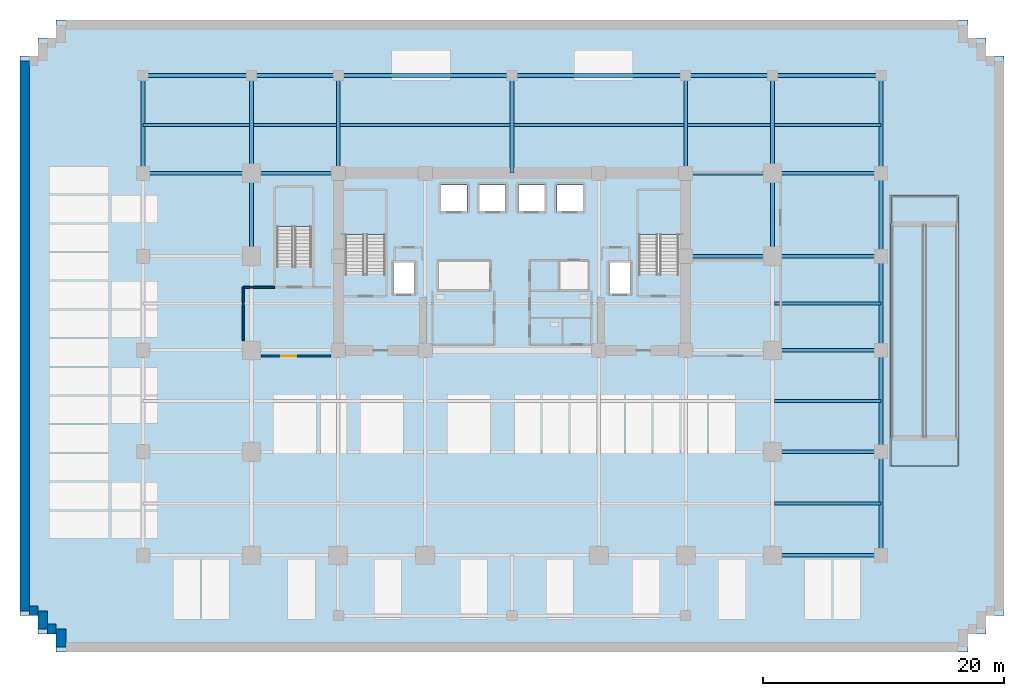
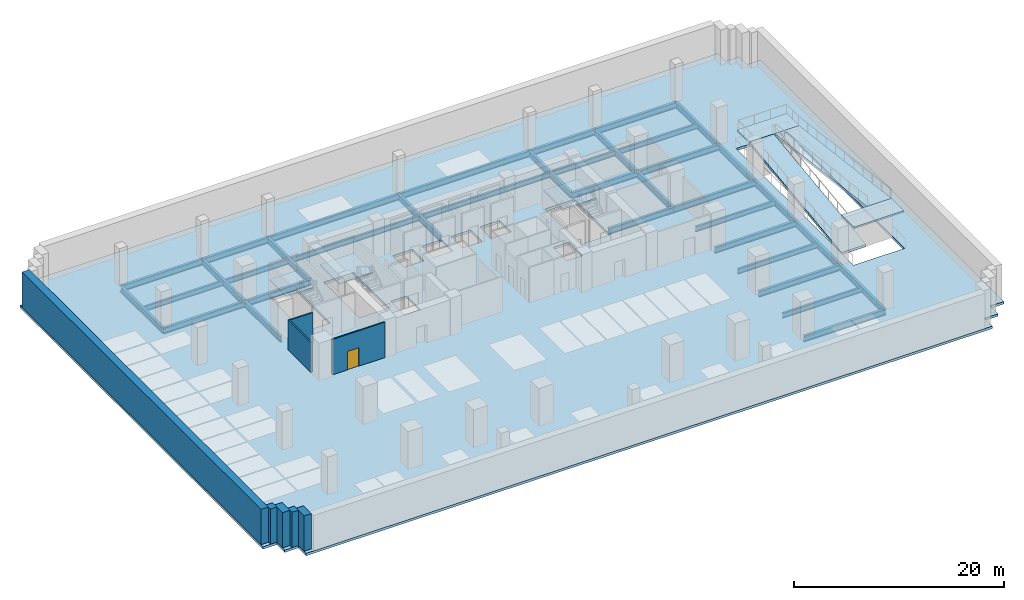
# One storey, part 2 of 13: 37 beams, 8 slabs, 8 walls, 1 door, 1 opening, 3 elements without a shape of their own.
"""IFC4 building model written with IfcOpenShell, lengths in metres."""

from ifc_helpers import new_model, si_unit, direction, frame, frame_2d, origin, origin_2d, place, context, subcontext, project, spatial, polyline, rectangle, i_section, outline, extrude, source, transform, mapped, material, layer, layer_set, material_profile, profile_set, type_object, element, fill, aggregate, save


model = new_model("IFC4")

# Units and contexts
model_context = context("Model", 3, precision=1e-05, world=origin(), true_north=direction((0.0, 1.0)))
body_context = subcontext(model_context, "Body", "Model", "MODEL_VIEW")
ifc_project = project(units=[si_unit("LENGTHUNIT", "METRE"), si_unit("AREAUNIT", "SQUARE_METRE"), si_unit("VOLUMEUNIT", "CUBIC_METRE"), si_unit("PLANEANGLEUNIT", "RADIAN"), si_unit("MASSUNIT", "GRAM", prefix="KILO")], contexts=[model_context])

# Site, building, storey
site_placement = place(None, origin())
site = spatial("IfcSite", under=ifc_project, at=site_placement, CompositionType="ELEMENT")
building_placement = place(site_placement, origin())
building = spatial("IfcBuilding", under=site, at=building_placement, Name="Zarnakvel Exchange Tower", CompositionType="ELEMENT")
storey_placement = place(building_placement, frame((0.0, 0.0, -8.800048828125)))
storey = spatial("IfcBuildingStorey", under=building, at=storey_placement, Name="B02", CompositionType="ELEMENT", Elevation=-8.800048828125)

# Beams
ifc_material_1 = material(Name="Steel S355", Category="steel")
ifc_material_profile_1 = material_profile(ifc_material_1, i_section(OverallWidth=0.230224609375, OverallDepth=0.6171875, WebThickness=0.01318359375, FlangeThickness=0.022216796875, FilletRadius=0.0126953125, at=origin_2d()))
ifc_profile_set_1 = profile_set([ifc_material_profile_1], Name="Steel S355")
beam_type_1 = type_object("IfcBeamType", Name="B-02", PredefinedType="JOIST", material=ifc_profile_set_1)
for number, where, z_axis, x_axis, name in (
    (1, (21.75, -13.89990234375, -0.588623046875), (1.0, 0.0, 0.0), (0.0, 1.0, 0.0), "B02 Secondary Floor Joist"),
    (2, (21.75, -5.39990234375, -0.588623046875), (1.0, 0.0, 0.0), (0.0, 1.0, 0.0), "B02 Secondary Floor Joist"),
    (3, (21.75, 2.699951171875, -0.588623046875), (1.0, 0.0, 0.0), (0.0, 1.0, 0.0), "B02 Secondary Floor Joist"),
    (4, (-30.60009765625, 17.5, -0.588623046875), (1.0, 0.0, 0.0), (0.0, 1.0, 0.0), "B02 North Bay Secondary Floor Joist"),
):
    element("IfcBeam", number, at=place(storey_placement, frame(where, z_axis=z_axis, x_axis=x_axis)), inside=storey, type_object=beam_type_1, Name=name, PredefinedType="JOIST", context=body_context, shape_type="SweptSolid", body=[
        extrude(i_section(OverallWidth=0.230224609375, OverallDepth=0.6171875, WebThickness=0.01318359375, FlangeThickness=0.022216796875, FilletRadius=0.0126953125, at=origin_2d()), origin(), (0.0, 0.0, 1.0), 8.85009765625),
    ])
beam_1_placement = place(storey_placement, frame((-21.449951171875, 17.5, -0.588623046875), z_axis=(1.0, 0.0, 0.0), x_axis=(0.0, 1.0, 0.0)))
element("IfcBeam", 5, at=beam_1_placement, inside=storey, type_object=beam_type_1, Name="B02 North Bay Secondary Floor Joist", PredefinedType="JOIST", context=body_context, shape_type="SweptSolid", body=[
    extrude(i_section(OverallWidth=0.230224609375, OverallDepth=0.6171875, WebThickness=0.01318359375, FlangeThickness=0.022216796875, FilletRadius=0.0126953125, at=origin_2d()), origin(), (0.0, 0.0, 1.0), 6.89990234375),
])
for number, where, z_axis, x_axis, name in (
    (6, (-14.25, 17.5, -0.588623046875), (1.0, 0.0, 0.0), (0.0, 1.0, 0.0), "B02 North Bay Secondary Floor Joist"),
    (7, (0.14990234375, 17.5, -0.588623046875), (1.0, 0.0, 0.0), (0.0, 1.0, 0.0), "B02 North Bay Secondary Floor Joist"),
):
    element("IfcBeam", number, at=place(storey_placement, frame(where, z_axis=z_axis, x_axis=x_axis)), inside=storey, type_object=beam_type_1, Name=name, PredefinedType="JOIST", context=body_context, shape_type="SweptSolid", body=[
        extrude(i_section(OverallWidth=0.230224609375, OverallDepth=0.6171875, WebThickness=0.01318359375, FlangeThickness=0.022216796875, FilletRadius=0.0126953125, at=origin_2d()), origin(), (0.0, 0.0, 1.0), 14.10009765625),
    ])
beam_2_placement = place(storey_placement, frame((14.550048828125, 17.5, -0.588623046875), z_axis=(1.0, 0.0, 0.0), x_axis=(0.0, 1.0, 0.0)))
element("IfcBeam", 8, at=beam_2_placement, inside=storey, type_object=beam_type_1, Name="B02 North Bay Secondary Floor Joist", PredefinedType="JOIST", context=body_context, shape_type="SweptSolid", body=[
    extrude(i_section(OverallWidth=0.230224609375, OverallDepth=0.6171875, WebThickness=0.01318359375, FlangeThickness=0.022216796875, FilletRadius=0.0126953125, at=origin_2d()), origin(), (0.0, 0.0, 1.0), 6.89990234375),
])
beam_3_placement = place(storey_placement, frame((21.75, 17.5, -0.588623046875), z_axis=(1.0, 0.0, 0.0), x_axis=(0.0, 1.0, 0.0)))
element("IfcBeam", 9, at=beam_3_placement, inside=storey, type_object=beam_type_1, Name="B02 North Bay Secondary Floor Joist", PredefinedType="JOIST", context=body_context, shape_type="SweptSolid", body=[
    extrude(i_section(OverallWidth=0.230224609375, OverallDepth=0.6171875, WebThickness=0.01318359375, FlangeThickness=0.022216796875, FilletRadius=0.0126953125, at=origin_2d()), origin(), (0.0, 0.0, 1.0), 8.85009765625),
])
ifc_material_profile_2 = material_profile(ifc_material_1, i_section(OverallWidth=0.300048828125, OverallDepth=0.699951171875, WebThickness=0.01708984375, FlangeThickness=0.031982421875, FilletRadius=0.027099609375, at=origin_2d()))
ifc_profile_set_2 = profile_set([ifc_material_profile_2], Name="Steel S355")
beam_type_2 = type_object("IfcBeamType", Name="G-03", PredefinedType="BEAM", material=ifc_profile_set_2)
for number, where, z_axis, x_axis, name in (
    (10, (21.60009765625, -18.199951171875, -0.6298828125), (1.0, 0.0, 0.0), (0.0, 1.0, 0.0), "B02 Primary E-W Girder Y=-18.2"),
    (11, (21.60009765625, -9.60009765625, -0.6298828125), (1.0, 0.0, 0.0), (0.0, 1.0, 0.0), "B02 Primary E-W Girder Y=-9.6"),
    (12, (21.60009765625, -1.199951171875, -0.6298828125), (1.0, 0.0, 0.0), (0.0, 1.0, 0.0), "B02 Primary E-W Girder Y=-1.2"),
):
    element("IfcBeam", number, at=place(storey_placement, frame(where, z_axis=z_axis, x_axis=x_axis)), inside=storey, type_object=beam_type_2, Name=name, PredefinedType="BEAM", context=body_context, shape_type="SweptSolid", body=[
        extrude(i_section(OverallWidth=0.300048828125, OverallDepth=0.699951171875, WebThickness=0.01708984375, FlangeThickness=0.031982421875, FilletRadius=0.027099609375, at=origin_2d()), origin(), (0.0, 0.0, 1.0), 9.0),
    ])
beam_4_placement = place(storey_placement, frame((14.39990234375, 6.60009765625, -0.6298828125), z_axis=(1.0, 0.0, 0.0), x_axis=(0.0, 1.0, 0.0)))
element("IfcBeam", 13, at=beam_4_placement, inside=storey, type_object=beam_type_2, Name="B02 Primary E-W Girder Y=+6.6", PredefinedType="BEAM", context=body_context, shape_type="SweptSolid", body=[
    extrude(i_section(OverallWidth=0.300048828125, OverallDepth=0.699951171875, WebThickness=0.01708984375, FlangeThickness=0.031982421875, FilletRadius=0.027099609375, at=origin_2d()), origin(), (0.0, 0.0, 1.0), 7.2001953125),
])
for number, where, z_axis, x_axis, name in (
    (14, (21.60009765625, 6.60009765625, -0.6298828125), (1.0, 0.0, 0.0), (0.0, 1.0, 0.0), "B02 Primary E-W Girder Y=+6.6"),
    (15, (-30.60009765625, 13.5, -0.6298828125), (1.0, 0.0, 0.0), (0.0, 1.0, 0.0), "B02 Primary E-W Girder Y=+13.5"),
):
    element("IfcBeam", number, at=place(storey_placement, frame(where, z_axis=z_axis, x_axis=x_axis)), inside=storey, type_object=beam_type_2, Name=name, PredefinedType="BEAM", context=body_context, shape_type="SweptSolid", body=[
        extrude(i_section(OverallWidth=0.300048828125, OverallDepth=0.699951171875, WebThickness=0.01708984375, FlangeThickness=0.031982421875, FilletRadius=0.027099609375, at=origin_2d()), origin(), (0.0, 0.0, 1.0), 9.0),
    ])
for number, where, z_axis, x_axis, name in (
    (16, (-21.60009765625, 13.5, -0.6298828125), (1.0, 0.0, 0.0), (0.0, 1.0, 0.0), "B02 Primary E-W Girder Y=+13.5"),
    (17, (14.39990234375, 13.5, -0.6298828125), (1.0, 0.0, 0.0), (0.0, 1.0, 0.0), "B02 Primary E-W Girder Y=+13.5"),
):
    element("IfcBeam", number, at=place(storey_placement, frame(where, z_axis=z_axis, x_axis=x_axis)), inside=storey, type_object=beam_type_2, Name=name, PredefinedType="BEAM", context=body_context, shape_type="SweptSolid", body=[
        extrude(i_section(OverallWidth=0.300048828125, OverallDepth=0.699951171875, WebThickness=0.01708984375, FlangeThickness=0.031982421875, FilletRadius=0.027099609375, at=origin_2d()), origin(), (0.0, 0.0, 1.0), 7.2001953125),
    ])
for number, where, z_axis, x_axis, name in (
    (18, (21.60009765625, 13.5, -0.6298828125), (1.0, 0.0, 0.0), (0.0, 1.0, 0.0), "B02 Primary E-W Girder Y=+13.5"),
    (19, (-30.60009765625, 21.60009765625, -0.6298828125), (1.0, 0.0, 0.0), (0.0, 1.0, 0.0), "B02 Primary E-W Girder Y=+21.6"),
):
    element("IfcBeam", number, at=place(storey_placement, frame(where, z_axis=z_axis, x_axis=x_axis)), inside=storey, type_object=beam_type_2, Name=name, PredefinedType="BEAM", context=body_context, shape_type="SweptSolid", body=[
        extrude(i_section(OverallWidth=0.300048828125, OverallDepth=0.699951171875, WebThickness=0.01708984375, FlangeThickness=0.031982421875, FilletRadius=0.027099609375, at=origin_2d()), origin(), (0.0, 0.0, 1.0), 9.0),
    ])
beam_5_placement = place(storey_placement, frame((-21.60009765625, 21.60009765625, -0.6298828125), z_axis=(1.0, 0.0, 0.0), x_axis=(0.0, 1.0, 0.0)))
element("IfcBeam", 20, at=beam_5_placement, inside=storey, type_object=beam_type_2, Name="B02 Primary E-W Girder Y=+21.6", PredefinedType="BEAM", context=body_context, shape_type="SweptSolid", body=[
    extrude(i_section(OverallWidth=0.300048828125, OverallDepth=0.699951171875, WebThickness=0.01708984375, FlangeThickness=0.031982421875, FilletRadius=0.027099609375, at=origin_2d()), origin(), (0.0, 0.0, 1.0), 7.2001953125),
])
for number, where, z_axis, x_axis, name in (
    (21, (-14.39990234375, 21.60009765625, -0.6298828125), (1.0, 0.0, 0.0), (0.0, 1.0, 0.0), "B02 Primary E-W Girder Y=+21.6"),
    (22, (0.0, 21.60009765625, -0.6298828125), (1.0, 0.0, 0.0), (0.0, 1.0, 0.0), "B02 Primary E-W Girder Y=+21.6"),
):
    element("IfcBeam", number, at=place(storey_placement, frame(where, z_axis=z_axis, x_axis=x_axis)), inside=storey, type_object=beam_type_2, Name=name, PredefinedType="BEAM", context=body_context, shape_type="SweptSolid", body=[
        extrude(i_section(OverallWidth=0.300048828125, OverallDepth=0.699951171875, WebThickness=0.01708984375, FlangeThickness=0.031982421875, FilletRadius=0.027099609375, at=origin_2d()), origin(), (0.0, 0.0, 1.0), 14.39990234375),
    ])
beam_6_placement = place(storey_placement, frame((14.39990234375, 21.60009765625, -0.6298828125), z_axis=(1.0, 0.0, 0.0), x_axis=(0.0, 1.0, 0.0)))
element("IfcBeam", 23, at=beam_6_placement, inside=storey, type_object=beam_type_2, Name="B02 Primary E-W Girder Y=+21.6", PredefinedType="BEAM", context=body_context, shape_type="SweptSolid", body=[
    extrude(i_section(OverallWidth=0.300048828125, OverallDepth=0.699951171875, WebThickness=0.01708984375, FlangeThickness=0.031982421875, FilletRadius=0.027099609375, at=origin_2d()), origin(), (0.0, 0.0, 1.0), 7.2001953125),
])
beam_7_placement = place(storey_placement, frame((21.60009765625, 21.60009765625, -0.6298828125), z_axis=(1.0, 0.0, 0.0), x_axis=(0.0, 1.0, 0.0)))
element("IfcBeam", 24, at=beam_7_placement, inside=storey, type_object=beam_type_2, Name="B02 Primary E-W Girder Y=+21.6", PredefinedType="BEAM", context=body_context, shape_type="SweptSolid", body=[
    extrude(i_section(OverallWidth=0.300048828125, OverallDepth=0.699951171875, WebThickness=0.01708984375, FlangeThickness=0.031982421875, FilletRadius=0.027099609375, at=origin_2d()), origin(), (0.0, 0.0, 1.0), 9.0),
])
beam_8_placement = place(storey_placement, frame((-30.60009765625, 13.5, -0.6298828125), z_axis=(0.0, 1.0, 0.0), x_axis=(-1.0, 0.0, 0.0)))
element("IfcBeam", 25, at=beam_8_placement, inside=storey, type_object=beam_type_2, Name="B02 Primary N-S Girder X=-30.6", PredefinedType="BEAM", context=body_context, shape_type="SweptSolid", body=[
    extrude(i_section(OverallWidth=0.300048828125, OverallDepth=0.699951171875, WebThickness=0.01708984375, FlangeThickness=0.031982421875, FilletRadius=0.027099609375, at=origin_2d()), origin(), (0.0, 0.0, 1.0), 8.10009765625),
])
beam_9_placement = place(storey_placement, frame((-21.60009765625, 6.60009765625, -0.6298828125), z_axis=(0.0, 1.0, 0.0), x_axis=(-1.0, 0.0, 0.0)))
element("IfcBeam", 26, at=beam_9_placement, inside=storey, type_object=beam_type_2, Name="B02 Primary N-S Girder X=-21.6", PredefinedType="BEAM", context=body_context, shape_type="SweptSolid", body=[
    extrude(i_section(OverallWidth=0.300048828125, OverallDepth=0.699951171875, WebThickness=0.01708984375, FlangeThickness=0.031982421875, FilletRadius=0.027099609375, at=origin_2d()), origin(), (0.0, 0.0, 1.0), 6.89990234375),
])
for number, where, z_axis, x_axis, name in (
    (27, (-21.60009765625, 13.5, -0.6298828125), (0.0, 1.0, 0.0), (-1.0, 0.0, 0.0), "B02 Primary N-S Girder X=-21.6"),
    (28, (-14.39990234375, 13.5, -0.6298828125), (0.0, 1.0, 0.0), (-1.0, 0.0, 0.0), "B02 Primary N-S Girder X=-14.4"),
    (29, (0.0, 13.5, -0.6298828125), (0.0, 1.0, 0.0), (-1.0, 0.0, 0.0), "B02 Primary N-S Girder X=+0.0 North"),
    (30, (14.39990234375, 13.5, -0.6298828125), (0.0, 1.0, 0.0), (-1.0, 0.0, 0.0), "B02 Primary N-S Girder X=+14.4"),
):
    element("IfcBeam", number, at=place(storey_placement, frame(where, z_axis=z_axis, x_axis=x_axis)), inside=storey, type_object=beam_type_2, Name=name, PredefinedType="BEAM", context=body_context, shape_type="SweptSolid", body=[
        extrude(i_section(OverallWidth=0.300048828125, OverallDepth=0.699951171875, WebThickness=0.01708984375, FlangeThickness=0.031982421875, FilletRadius=0.027099609375, at=origin_2d()), origin(), (0.0, 0.0, 1.0), 8.10009765625),
    ])
beam_10_placement = place(storey_placement, frame((21.60009765625, 6.60009765625, -0.6298828125), z_axis=(0.0, 1.0, 0.0), x_axis=(-1.0, 0.0, 0.0)))
element("IfcBeam", 31, at=beam_10_placement, inside=storey, type_object=beam_type_2, Name="B02 Primary N-S Girder X=+21.6", PredefinedType="BEAM", context=body_context, shape_type="SweptSolid", body=[
    extrude(i_section(OverallWidth=0.300048828125, OverallDepth=0.699951171875, WebThickness=0.01708984375, FlangeThickness=0.031982421875, FilletRadius=0.027099609375, at=origin_2d()), origin(), (0.0, 0.0, 1.0), 6.89990234375),
])
beam_11_placement = place(storey_placement, frame((21.60009765625, 13.5, -0.6298828125), z_axis=(0.0, 1.0, 0.0), x_axis=(-1.0, 0.0, 0.0)))
element("IfcBeam", 32, at=beam_11_placement, inside=storey, type_object=beam_type_2, Name="B02 Primary N-S Girder X=+21.6", PredefinedType="BEAM", context=body_context, shape_type="SweptSolid", body=[
    extrude(i_section(OverallWidth=0.300048828125, OverallDepth=0.699951171875, WebThickness=0.01708984375, FlangeThickness=0.031982421875, FilletRadius=0.027099609375, at=origin_2d()), origin(), (0.0, 0.0, 1.0), 8.10009765625),
])
beam_12_placement = place(storey_placement, frame((30.60009765625, -18.199951171875, -0.6298828125), z_axis=(0.0, 1.0, 0.0), x_axis=(-1.0, 0.0, 0.0)))
element("IfcBeam", 33, at=beam_12_placement, inside=storey, type_object=beam_type_2, Name="B02 Primary N-S Girder X=+30.6", PredefinedType="BEAM", context=body_context, shape_type="SweptSolid", body=[
    extrude(i_section(OverallWidth=0.300048828125, OverallDepth=0.699951171875, WebThickness=0.01708984375, FlangeThickness=0.031982421875, FilletRadius=0.027099609375, at=origin_2d()), origin(), (0.0, 0.0, 1.0), 8.599853515625),
])
beam_13_placement = place(storey_placement, frame((30.60009765625, -9.60009765625, -0.6298828125), z_axis=(0.0, 1.0, 0.0), x_axis=(-1.0, 0.0, 0.0)))
element("IfcBeam", 34, at=beam_13_placement, inside=storey, type_object=beam_type_2, Name="B02 Primary N-S Girder X=+30.6", PredefinedType="BEAM", context=body_context, shape_type="SweptSolid", body=[
    extrude(i_section(OverallWidth=0.300048828125, OverallDepth=0.699951171875, WebThickness=0.01708984375, FlangeThickness=0.031982421875, FilletRadius=0.027099609375, at=origin_2d()), origin(), (0.0, 0.0, 1.0), 8.400146484375),
])
beam_14_placement = place(storey_placement, frame((30.60009765625, -1.199951171875, -0.6298828125), z_axis=(0.0, 1.0, 0.0), x_axis=(-1.0, 0.0, 0.0)))
element("IfcBeam", 35, at=beam_14_placement, inside=storey, type_object=beam_type_2, Name="B02 Primary N-S Girder X=+30.6", PredefinedType="BEAM", context=body_context, shape_type="SweptSolid", body=[
    extrude(i_section(OverallWidth=0.300048828125, OverallDepth=0.699951171875, WebThickness=0.01708984375, FlangeThickness=0.031982421875, FilletRadius=0.027099609375, at=origin_2d()), origin(), (0.0, 0.0, 1.0), 7.800048828125),
])
beam_15_placement = place(storey_placement, frame((30.60009765625, 6.60009765625, -0.6298828125), z_axis=(0.0, 1.0, 0.0), x_axis=(-1.0, 0.0, 0.0)))
element("IfcBeam", 36, at=beam_15_placement, inside=storey, type_object=beam_type_2, Name="B02 Primary N-S Girder X=+30.6", PredefinedType="BEAM", context=body_context, shape_type="SweptSolid", body=[
    extrude(i_section(OverallWidth=0.300048828125, OverallDepth=0.699951171875, WebThickness=0.01708984375, FlangeThickness=0.031982421875, FilletRadius=0.027099609375, at=origin_2d()), origin(), (0.0, 0.0, 1.0), 6.89990234375),
])
beam_16_placement = place(storey_placement, frame((30.60009765625, 13.5, -0.6298828125), z_axis=(0.0, 1.0, 0.0), x_axis=(-1.0, 0.0, 0.0)))
element("IfcBeam", 37, at=beam_16_placement, inside=storey, type_object=beam_type_2, Name="B02 Primary N-S Girder X=+30.6", PredefinedType="BEAM", context=body_context, shape_type="SweptSolid", body=[
    extrude(i_section(OverallWidth=0.300048828125, OverallDepth=0.699951171875, WebThickness=0.01708984375, FlangeThickness=0.031982421875, FilletRadius=0.027099609375, at=origin_2d()), origin(), (0.0, 0.0, 1.0), 8.10009765625),
])

# Stair, slab
ifc_material_2 = material(Name="Concrete C40/50", Category="concrete")
stair_type_1 = type_object("IfcStairType", Name="STR-01", PredefinedType="HALF_TURN_STAIR", material=ifc_material_2)
stair_1_placement = place(storey_placement, origin())
stair_1 = element("IfcStair", 38, at=stair_1_placement, inside=storey, type_object=stair_type_1, Name="B02 Protected Core Exit Stair ST-01", PredefinedType="HALF_TURN_STAIR")
ifc_layer_1 = layer(ifc_material_2, 0.199951171875)
ifc_layer_set_1 = layer_set([ifc_layer_1], Name="Concrete C40/50")
slab_type_1 = type_object("IfcSlabType", Name="LDG-01", PredefinedType="LANDING", material=ifc_layer_set_1)
slab_1_placement = place(storey_placement, frame((0.0, 0.0, 2.0)))
slab_1 = element("IfcSlab", 39, at=slab_1_placement, type_object=slab_type_1, Name="ST-01 landing 1", PredefinedType="LANDING", context=body_context, shape_type="SweptSolid", body=[
    extrude(outline(polyline([(-14.18994140625, 8.409912109375), (-10.4599609375, 8.409912109375), (-10.4599609375, 12.080078125), (-14.18994140625, 12.080078125), (-14.18994140625, 8.409912109375)])), origin(), (0.0, 0.0, 1.0), 0.199951171875),
])
aggregate(stair_1, [slab_1])

stair_2_placement = place(storey_placement, origin())
stair_2 = element("IfcStair", 40, at=stair_2_placement, inside=storey, type_object=stair_type_1, Name="B02 Protected Core Exit Stair ST-02", PredefinedType="HALF_TURN_STAIR")
slab_2_placement = place(storey_placement, frame((0.0, 0.0, 2.0)))
slab_2 = element("IfcSlab", 41, at=slab_2_placement, type_object=slab_type_1, Name="ST-02 landing 1", PredefinedType="LANDING", context=body_context, shape_type="SweptSolid", body=[
    extrude(outline(polyline([(10.4599609375, 8.409912109375), (14.18994140625, 8.409912109375), (14.18994140625, 12.080078125), (10.4599609375, 12.080078125), (10.4599609375, 8.409912109375)])), origin(), (0.0, 0.0, 1.0), 0.199951171875),
])
aggregate(stair_2, [slab_2])

stair_type_2 = type_object("IfcStairType", Name="STR-03", PredefinedType="HALF_TURN_STAIR", material=ifc_material_2)
stair_3_placement = place(storey_placement, origin())
stair_3 = element("IfcStair", 42, at=stair_3_placement, inside=storey, type_object=stair_type_2, Name="B02 Substructure Car Park Exit Stair ST-05", PredefinedType="HALF_TURN_STAIR")
slab_3_placement = place(storey_placement, frame((0.0, 0.0, 2.0)))
slab_3 = element("IfcSlab", 43, at=slab_3_placement, type_object=slab_type_1, Name="ST-05 landing 1", PredefinedType="LANDING", context=body_context, shape_type="SweptSolid", body=[
    extrude(outline(polyline([(-19.60009765625, 9.06005859375), (-16.5400390625, 9.06005859375), (-16.5400390625, 12.300048828125), (-19.60009765625, 12.300048828125), (-19.60009765625, 9.06005859375)])), origin(), (0.0, 0.0, 1.0), 0.199951171875),
])
aggregate(stair_3, [slab_3])

# Slabs
slab_4_placement = place(storey_placement, frame((0.0, 0.0, 2.0)))
element("IfcSlab", 44, at=slab_4_placement, inside=storey, type_object=slab_type_1, Name="B02 Car Park Vehicular Ramp R-01 Mid Landing", PredefinedType="LANDING", context=body_context, shape_type="SweptSolid", body=[
    extrude(outline(polyline([(31.449951171875, 9.199951171875), (36.949951171875, 9.199951171875), (36.949951171875, 11.550048828125), (31.449951171875, 11.550048828125), (31.449951171875, 9.199951171875)])), origin(), (0.0, 0.0, 1.0), 0.199951171875),
])
slab_5_placement = place(storey_placement, frame((0.0, 0.0, 4.199951171875)))
element("IfcSlab", 45, at=slab_5_placement, inside=storey, type_object=slab_type_1, Name="B02 Car Park Vehicular Ramp R-01 Top Landing", PredefinedType="LANDING", context=body_context, shape_type="SweptSolid", body=[
    extrude(outline(polyline([(31.449951171875, -10.780029296875), (36.949951171875, -10.780029296875), (36.949951171875, -8.39990234375), (31.449951171875, -8.39990234375), (31.449951171875, -10.780029296875)])), origin(), (0.0, 0.0, 1.0), 0.2001953125),
])
ifc_layer_2 = layer(ifc_material_2, 0.300048828125)
ifc_layer_set_2 = layer_set([ifc_layer_2], Name="Concrete C40/50")
slab_type_2 = type_object("IfcSlabType", Name="RSL-01", PredefinedType="BASESLAB", material=ifc_layer_set_2)
slab_6_placement = place(storey_placement, frame((31.449951171875, -8.39990234375, 0.0), z_axis=(0.0, -0.124033040481, 0.992278088476), x_axis=(1.0, 0.0, 0.0)))
element("IfcSlab", 46, at=slab_6_placement, inside=storey, type_object=slab_type_2, Name="B02 Car Park Vehicular Ramp R-01 Slab 1", PredefinedType="BASESLAB", context=body_context, shape_type="SweptSolid", body=[
    extrude(outline(polyline([(0.0, 0.0), (2.699951171875, 0.0), (2.699951171875, 17.73681640625), (0.0, 17.73681640625), (0.0, 0.0)])), origin(), (0.0, 0.0, -1.0), 0.300048828125),
])
slab_7_placement = place(storey_placement, frame((34.25, 9.199951171875, 2.199951171875), z_axis=(0.0, 0.124046593314, 0.992276394301), x_axis=(1.0, 0.0, 0.0)))
element("IfcSlab", 47, at=slab_7_placement, inside=storey, type_object=slab_type_2, Name="B02 Car Park Vehicular Ramp R-01 Slab 2", PredefinedType="BASESLAB", context=body_context, shape_type="SweptSolid", body=[
    extrude(outline(polyline([(0.0, 0.0), (2.699951171875, 0.0), (2.699951171875, -17.73681640625), (0.0, -17.73681640625), (0.0, 0.0)])), origin(), (0.0, 0.0, -1.0), 0.300048828125),
])
ifc_layer_3 = layer(ifc_material_2, 0.280029296875)
ifc_layer_set_3 = layer_set([ifc_layer_3], Name="Concrete C40/50")
slab_type_3 = type_object("IfcSlabType", Name="SL-02", PredefinedType="FLOOR", material=ifc_layer_set_3)
slab_8_placement = place(storey_placement, frame((0.0, 0.0, -0.280029296875)))
element("IfcSlab", 48, at=slab_8_placement, inside=storey, type_object=slab_type_3, Name="B02 Primary Structural Floor Slab", PredefinedType="FLOOR", context=body_context, shape_type="SweptSolid", body=[
    extrude(outline(polyline([(-40.800048828125, -23.199951171875), (-39.300048828125, -23.199951171875), (-39.300048828125, -24.699951171875), (-37.800048828125, -24.699951171875), (-37.800048828125, -26.199951171875), (37.800048828125, -26.199951171875), (37.800048828125, -24.699951171875), (39.300048828125, -24.699951171875), (39.300048828125, -23.199951171875), (40.800048828125, -23.199951171875), (40.800048828125, 23.199951171875), (39.300048828125, 23.199951171875), (39.300048828125, 24.699951171875), (37.800048828125, 24.699951171875), (37.800048828125, 26.199951171875), (-37.800048828125, 26.199951171875), (-37.800048828125, 24.699951171875), (-39.300048828125, 24.699951171875), (-39.300048828125, 23.199951171875), (-40.800048828125, 23.199951171875), (-40.800048828125, -23.199951171875)]), holes=[polyline([(-13.800048828125, 5.2099609375), (-10.5400390625, 5.2099609375), (-10.5400390625, 12.0), (-13.800048828125, 12.0), (-13.800048828125, 5.2099609375)]), polyline([(10.5400390625, 5.2099609375), (13.800048828125, 5.2099609375), (13.800048828125, 12.0), (10.5400390625, 12.0), (10.5400390625, 5.2099609375)]), polyline([(-19.5, 5.860107421875), (-16.639892578125, 5.860107421875), (-16.639892578125, 12.199951171875), (-19.5, 12.199951171875), (-19.5, 5.860107421875)]), polyline([(-9.830078125, 3.52001953125), (-8.070068359375, 3.52001953125), (-8.070068359375, 6.080078125), (-9.830078125, 6.080078125), (-9.830078125, 3.52001953125)]), polyline([(8.070068359375, 3.52001953125), (9.830078125, 3.52001953125), (9.830078125, 6.080078125), (8.070068359375, 6.080078125), (8.070068359375, 3.52001953125)]), polyline([(-5.8798828125, 10.3701171875), (-3.719970703125, 10.3701171875), (-3.719970703125, 12.530029296875), (-5.8798828125, 12.530029296875), (-5.8798828125, 10.3701171875)]), polyline([(-2.679931640625, 10.3701171875), (-0.52001953125, 10.3701171875), (-0.52001953125, 12.530029296875), (-2.679931640625, 12.530029296875), (-2.679931640625, 10.3701171875)]), polyline([(0.52001953125, 10.3701171875), (2.679931640625, 10.3701171875), (2.679931640625, 12.530029296875), (0.52001953125, 12.530029296875), (0.52001953125, 10.3701171875)]), polyline([(3.719970703125, 10.3701171875), (5.8798828125, 10.3701171875), (5.8798828125, 12.530029296875), (3.719970703125, 12.530029296875), (3.719970703125, 10.3701171875)]), polyline([(31.39990234375, -10.800048828125), (37.0, -10.800048828125), (37.0, 11.60009765625), (31.39990234375, 11.60009765625), (31.39990234375, -10.800048828125)])]), origin(), (0.0, 0.0, 1.0), 0.280029296875),
])

# Wall, opening, door
ifc_material_3 = material(Name="Fire-Rated Gypsum Stud Partition", Category="gypsum")
ifc_layer_4 = layer(ifc_material_3, 0.14990234375)
ifc_layer_set_4 = layer_set([ifc_layer_4], Name="Fire-Rated Gypsum Stud Partition")
wall_type_1 = type_object("IfcWallType", Name="PT-01", PredefinedType="PARTITIONING", material=ifc_layer_set_4)
wall_1_placement = place(storey_placement, frame((-15.02001953125, -1.669921875, 0.0), z_axis=(0.0, 0.0, 1.0), x_axis=(-1.0, 0.0, 0.0)))
wall_1 = element("IfcWall", 49, at=wall_1_placement, inside=storey, type_object=wall_type_1, Name="B02 Partition Wall PWALL-B02-039 (PT-01)", PredefinedType="PARTITIONING", context=body_context, shape_type="SweptSolid", body=[
    extrude(rectangle(XDim=5.760009765625, YDim=0.14990234375, at=frame_2d((2.8798828125, 0.0))), origin(), (0.0, 0.0, 1.0), 4.1201171875),
])
opening_placement = place(wall_1_placement, frame((2.85498046875, 0.0, 0.0)))
opening = element("IfcOpeningElement", 50, at=opening_placement, cuts=wall_1, Name="Opening D-B02-13", PredefinedType="OPENING", context=body_context, shape_type="SweptSolid", body=[
    extrude(rectangle(XDim=1.25, YDim=2.14990234375, at=frame_2d((0.625, 1.074951171875))), frame((0.0, 0.0849609375, 0.0), z_axis=(0.0, -1.0, 0.0), x_axis=(1.0, 0.0, 0.0)), (0.0, 0.0, 1.0), 0.169921875),
])
ifc_material_4 = material(Name="Painted Galvanised Steel S355", Category="steel")
door_type = type_object("IfcDoorType", Name="DT-06", OperationType="NOTDEFINED", PredefinedType="DOOR", material=ifc_material_4)
shared_shape = source(origin(), body_context, "Body", "SweptSolid", [
    extrude(rectangle(XDim=1.25, YDim=2.14990234375, at=frame_2d((0.625, 1.074951171875))), frame((0.0, 0.02490234375, 0.0), z_axis=(0.0, -1.0, 0.0), x_axis=(1.0, 0.0, 0.0)), (0.0, 0.0, 1.0), 0.050048828125),
])
door_placement = place(opening_placement, origin())
door = element("IfcDoor", 51, at=door_placement, inside=storey, type_object=door_type, Name="B02 Secured Bicycle Storage Room Door D-B02-13", OperationType="SINGLE_SWING_LEFT", OverallHeight=2.14990234375, OverallWidth=1.25, PredefinedType="DOOR", context=body_context, shape_type="MappedRepresentation", body=[
    mapped(shared_shape, transform((0.0, 0.0, 0.0), x_axis=(1.0, 0.0, 0.0), y_axis=(0.0, 1.0, 0.0), z_axis=(0.0, 0.0, 1.0), scale=1.0)),
])
fill(opening, door)

# Walls
wall_2_placement = place(storey_placement, frame((-22.280029296875, 4.030029296875, 0.0), z_axis=(0.0, 0.0, 1.0), x_axis=(1.0, 0.0, 0.0)))
element("IfcWall", 52, at=wall_2_placement, inside=storey, type_object=wall_type_1, Name="B02 Partition Wall PWALL-B02-040 (PT-01)", PredefinedType="PARTITIONING", context=body_context, shape_type="SweptSolid", body=[
    extrude(rectangle(XDim=2.6201171875, YDim=0.14990234375, at=frame_2d((1.31005859375, 0.0))), origin(), (0.0, 0.0, 1.0), 3.41015625),
])
wall_3_placement = place(storey_placement, frame((-22.280029296875, -0.3798828125, 0.0), z_axis=(0.0, 0.0, 1.0), x_axis=(0.0, 1.0, 0.0)))
element("IfcWall", 53, at=wall_3_placement, inside=storey, type_object=wall_type_1, Name="B02 Partition Wall PWALL-B02-042 (PT-01)", PredefinedType="PARTITIONING", context=body_context, shape_type="SweptSolid", body=[
    extrude(rectangle(XDim=4.409912109375, YDim=0.14990234375, at=frame_2d((2.205078125, 0.0))), origin(), (0.0, 0.0, 1.0), 3.492919921875),
])
ifc_material_5 = material(Name="Concrete C50/60", Category="concrete")
ifc_layer_5 = layer(ifc_material_5, 0.800048828125)
ifc_layer_set_5 = layer_set([ifc_layer_5], Name="Concrete C50/60")
wall_type_2 = type_object("IfcWallType", Name="RW-01", PredefinedType="USERDEFINED", material=ifc_layer_set_5)
wall_4_placement = place(storey_placement, frame((-40.39990234375, -22.800048828125, 0.0), z_axis=(0.0, 0.0, 1.0), x_axis=(0.0, 1.0, 0.0)))
element("IfcWall", 54, at=wall_4_placement, inside=storey, type_object=wall_type_2, Name="B02 Perimeter Retaining Wall RW-01 #1", ObjectType="RETAININGWALL", PredefinedType="USERDEFINED", context=body_context, shape_type="SweptSolid", body=[
    extrude(rectangle(XDim=45.60009765625, YDim=0.800048828125, at=frame_2d((22.800048828125, 0.0))), origin(), (0.0, 0.0, 1.0), 4.1201171875),
])
wall_5_placement = place(storey_placement, frame((-37.39990234375, -25.800048828125, 0.0), z_axis=(0.0, 0.0, 1.0), x_axis=(0.0, 1.0, 0.0)))
element("IfcWall", 55, at=wall_5_placement, inside=storey, type_object=wall_type_2, Name="B02 Perimeter Retaining Wall RW-01 #17", ObjectType="RETAININGWALL", PredefinedType="USERDEFINED", context=body_context, shape_type="SweptSolid", body=[
    extrude(rectangle(XDim=1.5, YDim=0.800048828125, at=frame_2d((0.75, 0.0))), origin(), (0.0, 0.0, 1.0), 4.1201171875),
])
wall_6_placement = place(storey_placement, frame((-37.800048828125, -24.300048828125, 0.0), z_axis=(0.0, 0.0, 1.0), x_axis=(-1.0, 0.0, 0.0)))
element("IfcWall", 56, at=wall_6_placement, inside=storey, type_object=wall_type_2, Name="B02 Perimeter Retaining Wall RW-01 #18", ObjectType="RETAININGWALL", PredefinedType="USERDEFINED", context=body_context, shape_type="SweptSolid", body=[
    extrude(rectangle(XDim=0.699951171875, YDim=0.800048828125, at=frame_2d((0.35009765625, 0.0))), origin(), (0.0, 0.0, 1.0), 4.1201171875),
])
wall_7_placement = place(storey_placement, frame((-38.89990234375, -24.300048828125, 0.0), z_axis=(0.0, 0.0, 1.0), x_axis=(0.0, 1.0, 0.0)))
element("IfcWall", 57, at=wall_7_placement, inside=storey, type_object=wall_type_2, Name="B02 Perimeter Retaining Wall RW-01 #19", ObjectType="RETAININGWALL", PredefinedType="USERDEFINED", context=body_context, shape_type="SweptSolid", body=[
    extrude(rectangle(XDim=1.5, YDim=0.800048828125, at=frame_2d((0.75, 0.0))), origin(), (0.0, 0.0, 1.0), 4.1201171875),
])
wall_8_placement = place(storey_placement, frame((-39.300048828125, -22.800048828125, 0.0), z_axis=(0.0, 0.0, 1.0), x_axis=(-1.0, 0.0, 0.0)))
element("IfcWall", 58, at=wall_8_placement, inside=storey, type_object=wall_type_2, Name="B02 Perimeter Retaining Wall RW-01 #20", ObjectType="RETAININGWALL", PredefinedType="USERDEFINED", context=body_context, shape_type="SweptSolid", body=[
    extrude(rectangle(XDim=0.699951171875, YDim=0.800048828125, at=frame_2d((0.35009765625, 0.0))), origin(), (0.0, 0.0, 1.0), 4.1201171875),
])

save(model, "model.ifc")
